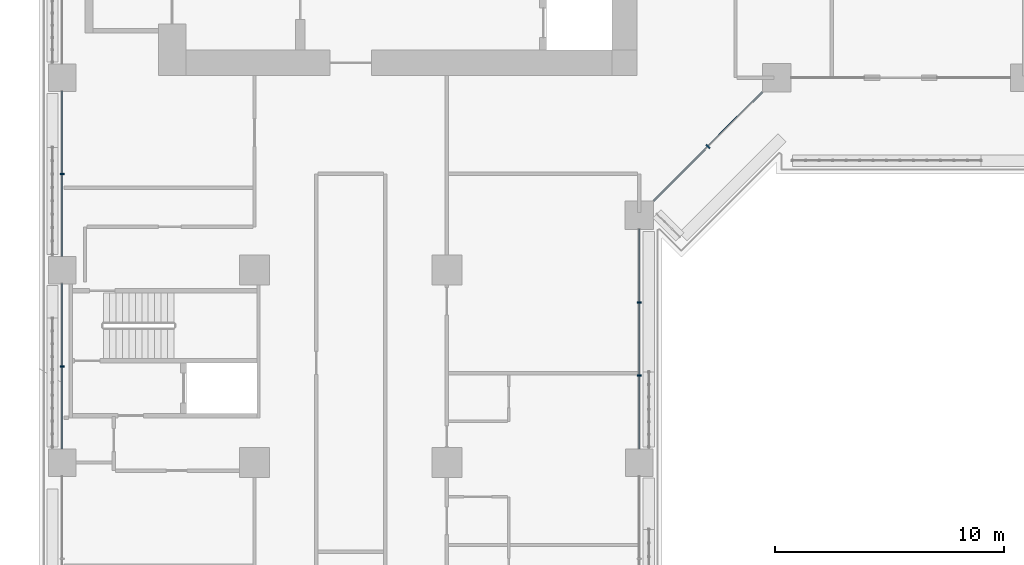
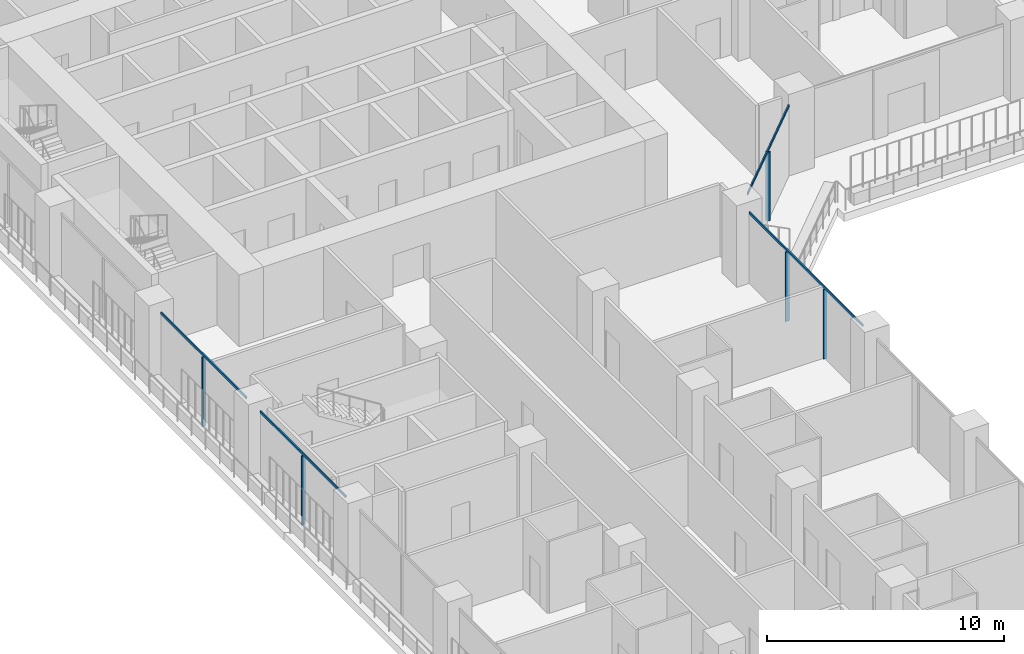
# One storey, part 3 of 28: 9 members, 3 elements without a shape of their own.
"""IFC4 building model written with IfcOpenShell, lengths in metres."""

from ifc_helpers import new_model, si_unit, direction, frame, origin, origin_2d, place, context, subcontext, project, spatial, rectangle, extrude, material, layer, layer_set, material_profile, profile_set, type_object, element, aggregate, save


model = new_model("IFC4")

# Units and contexts
model_context = context("Model", 3, precision=1e-05, world=origin(), true_north=direction((0.0, 1.0)))
body_context = subcontext(model_context, "Body", "Model", "MODEL_VIEW")
ifc_project = project(units=[si_unit("LENGTHUNIT", "METRE"), si_unit("AREAUNIT", "SQUARE_METRE"), si_unit("VOLUMEUNIT", "CUBIC_METRE"), si_unit("PLANEANGLEUNIT", "RADIAN"), si_unit("MASSUNIT", "GRAM", prefix="KILO")], contexts=[model_context])

# Site, building, storey
site_placement = place(None, origin())
site = spatial("IfcSite", under=ifc_project, at=site_placement, CompositionType="ELEMENT")
building_placement = place(site_placement, origin())
building = spatial("IfcBuilding", under=site, at=building_placement, Name="Kawkab Arch Medical Tower", CompositionType="ELEMENT")
storey_placement = place(building_placement, frame((0.0, 0.0, 89.60009765625)))
storey = spatial("IfcBuildingStorey", under=building, at=storey_placement, Name="L20", CompositionType="ELEMENT", Elevation=89.60009765625)

# Curtain wall, members
ifc_material_1 = material(Name="Bronze anodised aluminium curtain wall frame", Category="aluminium")
ifc_layer_1 = layer(ifc_material_1, 0.159912109375)
ifc_layer_set_1 = layer_set([ifc_layer_1], Name="Bronze anodised aluminium curtain wall frame")
curtain_wall_type_1 = type_object("IfcCurtainWallType", Name="CW1 ward curtain wall", PredefinedType="NOTDEFINED", material=ifc_layer_set_1)
placement = place(storey_placement, origin())
curtain_wall_1 = element("IfcCurtainWall", 1, at=placement, inside=storey, type_object=curtain_wall_type_1, Name="CW1 Ward curtain wall R01", PredefinedType="NOTDEFINED")
ifc_material_2 = material(Name="Bronze anodised aluminium curtain wall frame", Category="aluminium")
ifc_material_profile_1 = material_profile(ifc_material_2, rectangle(XDim=0.179931640625, YDim=0.06005859375, at=origin_2d()), Name="AL 60x180")
ifc_profile_set_1 = profile_set([ifc_material_profile_1], Name="Bronze anodised aluminium curtain wall frame")
member_type_1 = type_object("IfcMemberType", Name="CW1 mullion 60 x 180", PredefinedType="MULLION", material=ifc_profile_set_1)
member_1_placement = place(storey_placement, frame((0.0, -29.39990234375, 0.0), z_axis=(0.0, 0.0, 1.0), x_axis=(1.0, 0.0, 0.0)))
member_1 = element("IfcMember", 2, at=member_1_placement, type_object=member_type_1, Name="CW1 mullion 3.1", PredefinedType="MULLION", context=body_context, shape_type="SweptSolid", body=[
    extrude(rectangle(XDim=0.179931640625, YDim=0.06005859375, at=origin_2d()), origin(), (0.0, 0.0, 1.0), 3.579833984375),
])
member_2_placement = place(storey_placement, frame((0.0, -37.800048828125, 0.0), z_axis=(0.0, 0.0, 1.0), x_axis=(1.0, 0.0, 0.0)))
member_2 = element("IfcMember", 3, at=member_2_placement, type_object=member_type_1, Name="CW1 mullion 4.1", PredefinedType="MULLION", context=body_context, shape_type="SweptSolid", body=[
    extrude(rectangle(XDim=0.179931640625, YDim=0.06005859375, at=origin_2d()), origin(), (0.0, 0.0, 1.0), 3.579833984375),
])

curtain_wall_2 = element("IfcCurtainWall", 4, at=placement, inside=storey, type_object=curtain_wall_type_1, Name="CW1 Ward curtain wall R05", PredefinedType="NOTDEFINED")
member_3_placement = place(storey_placement, frame((25.199951171875, -38.208251953125, 0.0), z_axis=(0.0, 0.0, 1.0), x_axis=(-1.0, 0.0, 0.0)))
member_3 = element("IfcMember", 5, at=member_3_placement, type_object=member_type_1, Name="CW1 mullion 4.1", PredefinedType="MULLION", context=body_context, shape_type="SweptSolid", body=[
    extrude(rectangle(XDim=0.179931640625, YDim=0.06005859375, at=origin_2d()), origin(), (0.0, 0.0, 1.0), 3.579833984375),
])
member_4_placement = place(storey_placement, frame((25.199951171875, -35.0166015625, 0.0), z_axis=(0.0, 0.0, 1.0), x_axis=(-1.0, 0.0, 0.0)))
member_4 = element("IfcMember", 6, at=member_4_placement, type_object=member_type_1, Name="CW1 mullion 4.2", PredefinedType="MULLION", context=body_context, shape_type="SweptSolid", body=[
    extrude(rectangle(XDim=0.179931640625, YDim=0.06005859375, at=origin_2d()), origin(), (0.0, 0.0, 1.0), 3.579833984375),
])

# Member
ifc_material_3 = material(Name="Bronze anodised aluminium curtain wall frame", Category="aluminium")
ifc_material_profile_2 = material_profile(ifc_material_3, rectangle(XDim=0.06005859375, YDim=0.1201171875, at=origin_2d()), Name="AL 60x120")
ifc_profile_set_2 = profile_set([ifc_material_profile_2], Name="Bronze anodised aluminium curtain wall frame")
member_type_2 = type_object("IfcMemberType", Name="CW1 transom 120 x 60", PredefinedType="USERDEFINED", material=ifc_profile_set_2)
member_5_placement = place(storey_placement, frame((0.0, -25.800048828125, 3.639892578125), z_axis=(0.0, -1.0, 0.0), x_axis=(1.0, 0.0, 0.0)))
member_5 = element("IfcMember", 7, at=member_5_placement, type_object=member_type_2, Name="CW1 transom 3", ObjectType="TRANSOM", PredefinedType="USERDEFINED", context=body_context, shape_type="SweptSolid", body=[
    extrude(rectangle(XDim=0.06005859375, YDim=0.1201171875, at=origin_2d()), origin(), (0.0, 0.0, 1.0), 7.199951171875),
])

member_6_placement = place(storey_placement, frame((0.0, -34.199951171875, 3.639892578125), z_axis=(0.0, -1.0, 0.0), x_axis=(1.0, 0.0, 0.0)))
member_6 = element("IfcMember", 8, at=member_6_placement, type_object=member_type_2, Name="CW1 transom 4", ObjectType="TRANSOM", PredefinedType="USERDEFINED", context=body_context, shape_type="SweptSolid", body=[
    extrude(rectangle(XDim=0.06005859375, YDim=0.1201171875, at=origin_2d()), origin(), (0.0, 0.0, 1.0), 7.199951171875),
])

aggregate(curtain_wall_1, [member_5, member_1, member_6, member_2])

member_7_placement = place(storey_placement, frame((25.199951171875, -41.39990234375, 3.639892578125), z_axis=(0.0, 1.0, 0.0), x_axis=(-1.0, 0.0, 0.0)))
member_7 = element("IfcMember", 9, at=member_7_placement, type_object=member_type_2, Name="CW1 transom 4", ObjectType="TRANSOM", PredefinedType="USERDEFINED", context=body_context, shape_type="SweptSolid", body=[
    extrude(rectangle(XDim=0.06005859375, YDim=0.1201171875, at=origin_2d()), origin(), (0.0, 0.0, 1.0), 9.574951171875),
])

aggregate(curtain_wall_2, [member_7, member_3, member_4])

# Curtain wall, members
ifc_material_4 = material(Name="Bronze anodised aluminium curtain wall frame", Category="aluminium")
ifc_layer_2 = layer(ifc_material_4, 0.159912109375)
ifc_layer_set_2 = layer_set([ifc_layer_2], Name="Bronze anodised aluminium curtain wall frame")
curtain_wall_type_2 = type_object("IfcCurtainWallType", Name="CW2 chamfer curtain wall", PredefinedType="NOTDEFINED", material=ifc_layer_set_2)
curtain_wall_3 = element("IfcCurtainWall", 10, at=placement, inside=storey, type_object=curtain_wall_type_2, Name="CW2 Chamfer curtain wall R06", PredefinedType="NOTDEFINED")
ifc_material_5 = material(Name="Bronze anodised aluminium curtain wall frame", Category="aluminium")
ifc_material_profile_3 = material_profile(ifc_material_5, rectangle(XDim=0.199951171875, YDim=0.06005859375, at=origin_2d()), Name="AL 60x200")
ifc_profile_set_3 = profile_set([ifc_material_profile_3], Name="Bronze anodised aluminium curtain wall frame")
member_type_3 = type_object("IfcMemberType", Name="CW2 mullion 60 x 200", PredefinedType="MULLION", material=ifc_profile_set_3)
member_8_placement = place(storey_placement, frame((28.199951171875, -28.199951171875, 0.0), z_axis=(0.0, 0.0, 1.0), x_axis=(-0.707106781187, 0.707106781187, 0.0)))
member_8 = element("IfcMember", 11, at=member_8_placement, type_object=member_type_3, Name="CW2 mullion 1.1", PredefinedType="MULLION", context=body_context, shape_type="SweptSolid", body=[
    extrude(rectangle(XDim=0.199951171875, YDim=0.06005859375, at=origin_2d()), origin(), (0.0, 0.0, 1.0), 3.559814453125),
])
ifc_material_6 = material(Name="Bronze anodised aluminium curtain wall frame", Category="aluminium")
ifc_material_profile_4 = material_profile(ifc_material_6, rectangle(XDim=0.06005859375, YDim=0.139892578125, at=origin_2d()), Name="AL 60x140")
ifc_profile_set_4 = profile_set([ifc_material_profile_4], Name="Bronze anodised aluminium curtain wall frame")
member_type_4 = type_object("IfcMemberType", Name="CW2 transom 140 x 60", PredefinedType="USERDEFINED", material=ifc_profile_set_4)
member_9_placement = place(storey_placement, frame((25.824951171875, -30.574951171875, 3.6298828125), z_axis=(0.707106781187, 0.707106781187, 0.0), x_axis=(-0.707106781187, 0.707106781187, 0.0)))
member_9 = element("IfcMember", 12, at=member_9_placement, type_object=member_type_4, Name="CW2 transom 1", ObjectType="TRANSOM", PredefinedType="USERDEFINED", context=body_context, shape_type="SweptSolid", body=[
    extrude(rectangle(XDim=0.06005859375, YDim=0.139892578125, at=origin_2d()), origin(), (0.0, 0.0, 1.0), 6.717529296875),
])
aggregate(curtain_wall_3, [member_9, member_8])

save(model, "model.ifc")
